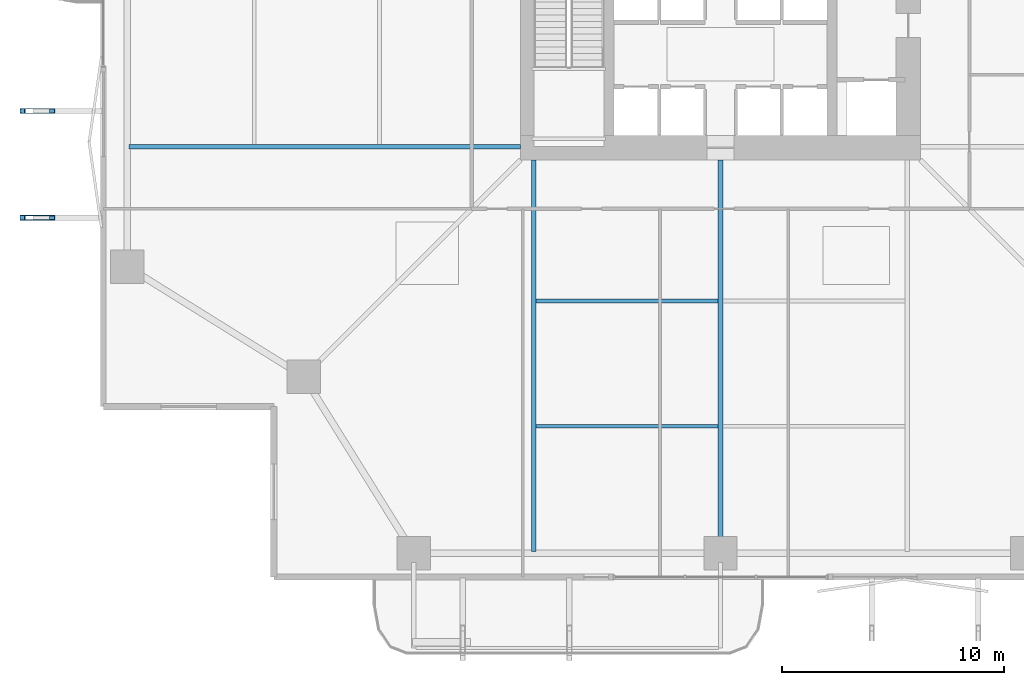
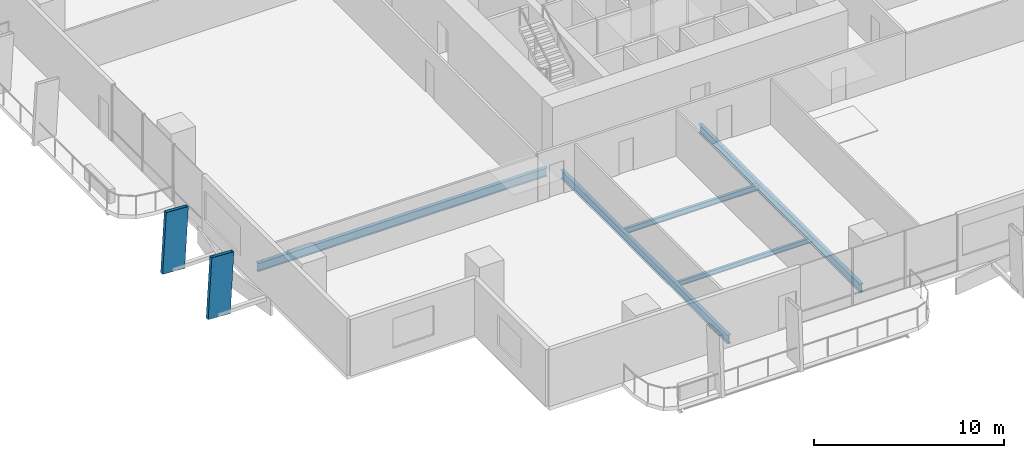
# One storey, part 3 of 23: 5 beams, 2 members.
"""IFC4 building model written with IfcOpenShell, lengths in metres."""

from ifc_helpers import new_model, si_unit, direction, frame, origin, origin_2d, place, context, subcontext, project, spatial, hollow_rectangle, i_section, extrude, material, material_profile, profile_set, type_object, element, save


model = new_model("IFC4")

# Units and contexts
model_context = context("Model", 3, precision=1e-05, world=origin(), true_north=direction((0.0, 1.0)))
body_context = subcontext(model_context, "Body", "Model", "MODEL_VIEW")
ifc_project = project(units=[si_unit("LENGTHUNIT", "METRE"), si_unit("AREAUNIT", "SQUARE_METRE"), si_unit("VOLUMEUNIT", "CUBIC_METRE"), si_unit("PLANEANGLEUNIT", "RADIAN"), si_unit("MASSUNIT", "GRAM", prefix="KILO")], contexts=[model_context])

# Site, building, storey
site_placement = place(None, origin())
site = spatial("IfcSite", under=ifc_project, at=site_placement, CompositionType="ELEMENT")
building_placement = place(site_placement, origin())
building = spatial("IfcBuilding", under=site, at=building_placement, Name="Belovzor Exchange Tower", CompositionType="ELEMENT")
storey_placement = place(building_placement, frame((0.0, 0.0, 41.699951171875)))
storey = spatial("IfcBuildingStorey", under=building, at=storey_placement, Name="L09", CompositionType="ELEMENT", Elevation=41.699951171875)

# Members
ifc_material_1 = material(Name="Extruded Architectural Terracotta on Steel S355 Carrier", Category="masonry")
ifc_material_profile_1 = material_profile(ifc_material_1, hollow_rectangle(XDim=0.219970703125, YDim=1.35009765625, WallThickness=0.013916015625, at=origin_2d()))
ifc_profile_set_1 = profile_set([ifc_material_profile_1], Name="Extruded Architectural Terracotta on Steel S355 Carrier")
member_type = type_object("IfcMemberType", Name="Base Arc Sweeping Terracotta Pylon Fin 1450", PredefinedType="USERDEFINED", material=ifc_profile_set_1)
for number, where, z_axis, x_axis, name in (
    (1, (-2.0458984375, 17.199951171875, -0.25), (0.05755700694, 0.0, 0.998342221361), (0.0, 1.0, 0.0), "FIN-TC145 Terracotta Facade Fin L09 W1"),
    (2, (-2.0458984375, 22.0, -0.25), (0.05755700694, 0.0, 0.998342221361), (0.0, 1.0, 0.0), "FIN-TC145 Terracotta Facade Fin L09 W2"),
):
    element("IfcMember", number, at=place(storey_placement, frame(where, z_axis=z_axis, x_axis=x_axis)), inside=storey, type_object=member_type, Name=name, ObjectType="FIN", PredefinedType="USERDEFINED", context=body_context, shape_type="SweptSolid", body=[
        extrude(hollow_rectangle(XDim=0.219970703125, YDim=1.35009765625, WallThickness=0.013916015625, at=origin_2d()), origin(), (0.0, 0.0, 1.0), 3.90673828125),
    ])

# Beams
ifc_material_2 = material(Name="Steel S355", Category="steel")
ifc_material_profile_2 = material_profile(ifc_material_2, i_section(OverallWidth=0.169921875, OverallDepth=0.360107421875, WebThickness=0.008056640625, FlangeThickness=0.0126953125, at=origin_2d()))
ifc_profile_set_2 = profile_set([ifc_material_profile_2], Name="Steel S355")
beam_type_1 = type_object("IfcBeamType", Name="Secondary Infill Floor Joist IPE 360", PredefinedType="BEAM", material=ifc_profile_set_2)
beam_1_placement = place(storey_placement, frame((20.5048828125, 13.455078125, -0.429931640625), z_axis=(1.0, 0.0, 0.0), x_axis=(0.0, 1.0, 0.0)))
element("IfcBeam", 3, at=beam_1_placement, inside=storey, type_object=beam_type_1, Name="FJ-360 Secondary Infill Floor Joist IPE 360", PredefinedType="BEAM", context=body_context, shape_type="SweptSolid", body=[
    extrude(i_section(OverallWidth=0.169921875, OverallDepth=0.360107421875, WebThickness=0.008056640625, FlangeThickness=0.0126953125, at=origin_2d()), origin(), (0.0, 0.0, 1.0), 8.190185546875),
])
ifc_material_3 = material(Name="Steel S355", Category="steel")
ifc_material_profile_3 = material_profile(ifc_material_3, i_section(OverallWidth=0.14990234375, OverallDepth=0.300048828125, WebThickness=0.007080078125, FlangeThickness=0.0107421875, at=origin_2d()))
ifc_profile_set_3 = profile_set([ifc_material_profile_3], Name="Steel S355")
beam_type_2 = type_object("IfcBeamType", Name="Secondary Trim Floor Joist IPE 300", PredefinedType="BEAM", material=ifc_profile_set_3)
beam_2_placement = place(storey_placement, frame((20.5048828125, 7.81494140625, -0.39990234375), z_axis=(1.0, 0.0, 0.0), x_axis=(0.0, 1.0, 0.0)))
element("IfcBeam", 4, at=beam_2_placement, inside=storey, type_object=beam_type_2, Name="FJ-300 Secondary Trim Floor Joist IPE 300", PredefinedType="BEAM", context=body_context, shape_type="SweptSolid", body=[
    extrude(i_section(OverallWidth=0.14990234375, OverallDepth=0.300048828125, WebThickness=0.007080078125, FlangeThickness=0.0107421875, at=origin_2d()), origin(), (0.0, 0.0, 1.0), 8.190185546875),
])
ifc_material_4 = material(Name="Steel S355", Category="steel")
ifc_material_profile_4 = material_profile(ifc_material_4, i_section(OverallWidth=0.2099609375, OverallDepth=0.550048828125, WebThickness=0.010986328125, FlangeThickness=0.01708984375, at=origin_2d()))
ifc_profile_set_4 = profile_set([ifc_material_profile_4], Name="Steel S355")
beam_type_3 = type_object("IfcBeamType", Name="Zone 1 Radial Composite Floor Beam IPE 550", PredefinedType="BEAM", material=ifc_profile_set_4)
beam_3_placement = place(storey_placement, frame((20.39990234375, 19.800048828125, -0.52490234375), z_axis=(0.0, -1.0, 0.0), x_axis=(1.0, 0.0, 0.0)))
element("IfcBeam", 5, at=beam_3_placement, inside=storey, type_object=beam_type_3, Name="FB-550 Zone 1 Radial Composite Floor Beam IPE 550", PredefinedType="BEAM", context=body_context, shape_type="SweptSolid", body=[
    extrude(i_section(OverallWidth=0.2099609375, OverallDepth=0.550048828125, WebThickness=0.010986328125, FlangeThickness=0.01708984375, at=origin_2d()), origin(), (0.0, 0.0, 1.0), 17.625),
])
beam_4_placement = place(storey_placement, frame((28.800048828125, 19.800048828125, -0.52490234375), z_axis=(0.0, -1.0, 0.0), x_axis=(1.0, 0.0, 0.0)))
element("IfcBeam", 6, at=beam_4_placement, inside=storey, type_object=beam_type_3, Name="FB-550 Zone 1 Radial Composite Floor Beam IPE 550", PredefinedType="BEAM", context=body_context, shape_type="SweptSolid", body=[
    extrude(i_section(OverallWidth=0.2099609375, OverallDepth=0.550048828125, WebThickness=0.010986328125, FlangeThickness=0.01708984375, at=origin_2d()), origin(), (0.0, 0.0, 1.0), 17.0400390625),
])
beam_5_placement = place(storey_placement, frame((19.800048828125, 20.39990234375, -0.52490234375), z_axis=(-1.0, 0.0, 0.0), x_axis=(0.0, -1.0, 0.0)))
element("IfcBeam", 7, at=beam_5_placement, inside=storey, type_object=beam_type_3, Name="FB-550 Zone 1 Radial Composite Floor Beam IPE 550", PredefinedType="BEAM", context=body_context, shape_type="SweptSolid", body=[
    extrude(i_section(OverallWidth=0.2099609375, OverallDepth=0.550048828125, WebThickness=0.010986328125, FlangeThickness=0.01708984375, at=origin_2d()), origin(), (0.0, 0.0, 1.0), 17.625),
])

save(model, "model.ifc")
